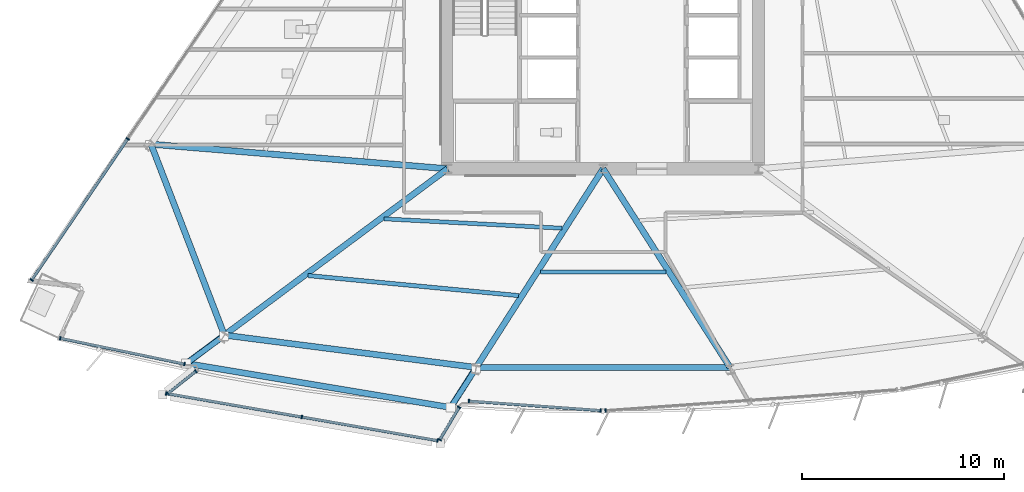
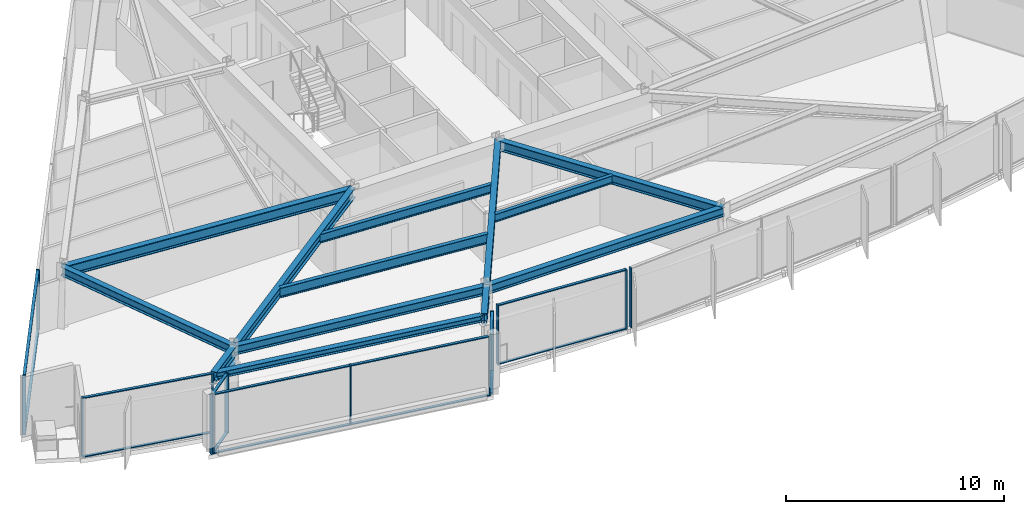
# One storey, part 2 of 15: 30 members, 13 beams, 7 elements without a shape of their own.
"""IFC4 building model written with IfcOpenShell, lengths in metres."""

import ifcopenshell
import ifcopenshell.guid

model = None  # the IFC model being written
_history = None  # IfcOwnerHistory: only IFC2X3 demands one
_inside = {}  # id of a spatial element -> (the spatial element, [elements in it])
_under = {}  # id of a project, library or spatial element -> (it, [spatial elements below it])
_declared = {}  # id of a project -> (the project, [libraries it declares])
_typed = {}  # id of a type object -> (the type object, [elements of that type])
_made_of = {}  # id of a material, layer set ... -> (it, [elements and type objects made of it])


def new_model(schema):
    """Start an empty IFC model of exactly this schema.

    Asked for "IFC4X3", IfcOpenShell would pick the latest addendum, in which some entities
    have other attributes; the version numbers below select the first issue.
    IFC2X3 requires an IfcOwnerHistory on every rooted entity: one is made here for all.
    """
    global model, _history
    if schema == "IFC4X3":
        model = ifcopenshell.file(schema_version=(4, 3, 0, 0))
    else:
        model = ifcopenshell.file(schema=schema)
    _inside.clear()
    _under.clear()
    _declared.clear()
    _typed.clear()
    _made_of.clear()
    _history = None
    if model.schema == "IFC2X3":
        org = make("IfcOrganization", Name="unknown")
        user = make(
            "IfcPersonAndOrganization",
            ThePerson=make("IfcPerson", FamilyName="unknown"),
            TheOrganization=org,
        )
        app = make(
            "IfcApplication",
            ApplicationDeveloper=org,
            Version="unknown",
            ApplicationFullName="unknown",
            ApplicationIdentifier="unknown",
        )
        _history = make(
            "IfcOwnerHistory",
            OwningUser=user,
            OwningApplication=app,
            ChangeAction="ADDED",
            CreationDate=0,
        )
    return model


def make(cls, **values):
    """One entity of the class cls with the attributes given. An attribute that is None is left unset."""
    return model.create_entity(
        cls, **{name: value for name, value in values.items() if value is not None}
    )


def rooted(cls, **values):
    """An entity with a GlobalId (a new one), such as an element, a storey or a relation."""
    return make(cls, GlobalId=ifcopenshell.guid.new(), OwnerHistory=_history, **values)


def si_unit(unit_type, name, prefix=None):
    """IfcSIUnit, for example si_unit("LENGTHUNIT", "METRE", prefix="MILLI")."""
    return make("IfcSIUnit", UnitType=unit_type, Prefix=prefix, Name=name)


def assignment(units):
    """IfcUnitAssignment: the units of a project."""
    return None if units is None else make("IfcUnitAssignment", Units=units)


def point(xyz):
    """IfcCartesianPoint."""
    return None if xyz is None else make("IfcCartesianPoint", Coordinates=xyz)


def direction(xyz):
    """IfcDirection."""
    return None if xyz is None else make("IfcDirection", DirectionRatios=xyz)


def frame(location, z_axis=None, x_axis=None):
    """IfcAxis2Placement3D, a coordinate frame: its origin and axes. An axis left out is left unset."""
    return make(
        "IfcAxis2Placement3D",
        Location=point(location),
        Axis=direction(z_axis),
        RefDirection=direction(x_axis),
    )


def frame_2d(location, x_axis=None):
    """IfcAxis2Placement2D, a coordinate frame in the plane: its origin and x axis."""
    return make(
        "IfcAxis2Placement2D", Location=point(location), RefDirection=direction(x_axis)
    )


def origin():
    """The frame at (0, 0, 0) with its axes left unset."""
    return frame((0.0, 0.0, 0.0))


def origin_2d():
    """The frame at (0, 0) in the plane with its x axis left unset."""
    return frame_2d((0.0, 0.0))


def place(relative_to, where):
    """IfcLocalPlacement: puts the frame where relative to a parent placement (None: the world)."""
    return make(
        "IfcLocalPlacement", PlacementRelTo=relative_to, RelativePlacement=where
    )


def context(
    kind, dimensions, precision=None, world=None, true_north=None, identifier=None
):
    """IfcGeometricRepresentationContext, for example the 3D "Model" context."""
    return make(
        "IfcGeometricRepresentationContext",
        ContextIdentifier=identifier,
        ContextType=kind,
        CoordinateSpaceDimension=dimensions,
        Precision=precision,
        WorldCoordinateSystem=world,
        TrueNorth=true_north,
    )


def subcontext(parent, identifier, kind, view, scale=None):
    """IfcGeometricRepresentationSubContext, for example "Body" below "Model"."""
    return make(
        "IfcGeometricRepresentationSubContext",
        ContextIdentifier=identifier,
        ContextType=kind,
        ParentContext=parent,
        TargetScale=scale,
        TargetView=view,
    )


def project(units=None, contexts=None):
    """IfcProject with its units and contexts."""
    return rooted(
        "IfcProject",
        Name="project",
        RepresentationContexts=contexts,
        UnitsInContext=assignment(units),
    )


def spatial(cls, under=None, at=None, **own):
    """A site, building, storey or space (cls), placed at a placement, below another one or the project."""
    s = rooted(cls, ObjectPlacement=at, **own)
    if under is not None:
        _under.setdefault(under.id(), (under, []))[1].append(s)
    return s


def profile(cls, at=None, kind="AREA", **sizes):
    """A parametric profile (cls). Its sizes go by their IFC names, for example OverallWidth=200.0."""
    return make(cls, ProfileType=kind, Position=at, **sizes)


def rectangle(**sizes):
    """IfcRectangleProfileDef."""
    return profile("IfcRectangleProfileDef", **sizes)


def hollow_circle(**sizes):
    """IfcCircleHollowProfileDef."""
    return profile("IfcCircleHollowProfileDef", **sizes)


def i_section(**sizes):
    """IfcIShapeProfileDef."""
    return profile("IfcIShapeProfileDef", **sizes)


def extrude(swept, where, along, depth):
    """IfcExtrudedAreaSolid: the profile swept, set in the frame where, extruded along a direction by depth."""
    return make(
        "IfcExtrudedAreaSolid",
        SweptArea=swept,
        Position=where,
        ExtrudedDirection=direction(along),
        Depth=depth,
    )


def shape(context_of_items, identifier, shape_type, items):
    """IfcShapeRepresentation: the items that make up one representation, for example the "Body"."""
    return make(
        "IfcShapeRepresentation",
        ContextOfItems=context_of_items,
        RepresentationIdentifier=identifier,
        RepresentationType=shape_type,
        Items=items,
    )


def material(Name=None, Category=None):
    """IfcMaterial."""
    return make("IfcMaterial", Name=Name, Category=Category)


def material_profile(
    of_material, cross_section, Name=None, Category=None, Priority=None
):
    """IfcMaterialProfile: a cross section and its material."""
    return make(
        "IfcMaterialProfile",
        Name=Name,
        Material=of_material,
        Profile=cross_section,
        Priority=Priority,
        Category=Category,
    )


def profile_set(profiles, Name=None, composite=None):
    """IfcMaterialProfileSet."""
    return make(
        "IfcMaterialProfileSet",
        Name=Name,
        MaterialProfiles=profiles,
        CompositeProfile=composite,
    )


def made_of(thing, what):
    """Note that an element or type object is made of a material, layer set ...; save() writes the relation."""
    if what is not None:
        _made_of.setdefault(what.id(), (what, []))[1].append(thing)
    return thing


def type_object(cls, material=None, **own):
    """A type object (cls), such as IfcWallType, which elements share."""
    return made_of(rooted(cls, **own), material)


def element(
    cls,
    number,
    at=None,
    inside=None,
    cuts=None,
    type_object=None,
    material=None,
    context=None,
    identifier="Body",
    shape_type=None,
    held_by="IfcProductDefinitionShape",
    body=None,
    shapes=None,
    **own,
):
    """One element of the class cls, such as IfcWall. Its Tag is "e" and its number.

    at: its placement. inside: the storey or other place that contains it. cuts: it is an
    opening in that element (IfcRelVoidsElement). A single representation is given by context,
    identifier, shape_type and body (its items); several are given by shapes. held_by: the class
    of the entity that holds the representations. save() writes the other relations.
    """
    e = rooted(cls, Tag="e%d" % number, ObjectPlacement=at, **own)
    if body is not None:
        shapes = [shape(context, identifier, shape_type, body)]
    if shapes is not None:
        e.Representation = make(held_by, Representations=shapes)
    if inside is not None:
        _inside.setdefault(inside.id(), (inside, []))[1].append(e)
    if cuts is not None:
        rooted(
            "IfcRelVoidsElement", RelatingBuildingElement=cuts, RelatedOpeningElement=e
        )
    if type_object is not None:
        _typed.setdefault(type_object.id(), (type_object, []))[1].append(e)
    return made_of(e, material)


def aggregate(whole, parts):
    """IfcRelAggregates: a whole, such as a stair, and the parts it consists of."""
    return rooted("IfcRelAggregates", RelatingObject=whole, RelatedObjects=parts)


def save(model, path):
    """Write the relations noted so far, then the file.

    IfcRelAggregates (storeys below a building ...), IfcRelContainedInSpatialStructure (elements
    in a storey), IfcRelDefinesByType, IfcRelAssociatesMaterial and IfcRelDeclares: one each for
    every whole, place, type object, material and project.
    """
    for whole, parts in _under.values():
        aggregate(whole, parts)
    for where, things in _inside.values():
        rooted(
            "IfcRelContainedInSpatialStructure",
            RelatedElements=things,
            RelatingStructure=where,
        )
    for kind, things in _typed.values():
        rooted("IfcRelDefinesByType", RelatedObjects=things, RelatingType=kind)
    for what, things in _made_of.values():
        rooted("IfcRelAssociatesMaterial", RelatedObjects=things, RelatingMaterial=what)
    for by, libraries in _declared.values():
        rooted("IfcRelDeclares", RelatingContext=by, RelatedDefinitions=libraries)
    model.write(path)


model = new_model("IFC4")

# Units and contexts
model_context = context("Model", 3, precision=1e-05, world=origin(), true_north=direction((0.0, 1.0)))
body_context = subcontext(model_context, "Body", "Model", "MODEL_VIEW")
ifc_project = project(units=[si_unit("LENGTHUNIT", "METRE"), si_unit("AREAUNIT", "SQUARE_METRE"), si_unit("VOLUMEUNIT", "CUBIC_METRE"), si_unit("PLANEANGLEUNIT", "RADIAN"), si_unit("MASSUNIT", "GRAM", prefix="KILO")], contexts=[model_context])

# Site, building, storey
site_placement = place(None, origin())
site = spatial("IfcSite", under=ifc_project, at=site_placement, CompositionType="ELEMENT")
building_placement = place(site_placement, origin())
building = spatial("IfcBuilding", under=site, at=building_placement, Name="Savorim Split Tower", CompositionType="ELEMENT")
storey_placement = place(building_placement, frame((0.0, 0.0, 104.10009765625)))
storey = spatial("IfcBuildingStorey", under=building, at=storey_placement, Name="L27", CompositionType="ELEMENT", Elevation=104.10009765625)

# Beams
ifc_material_1 = material(Name="Steel S355", Category="steel")
ifc_material_profile_1 = material_profile(ifc_material_1, i_section(OverallWidth=0.18994140625, OverallDepth=0.449951171875, WebThickness=0.009521484375, FlangeThickness=0.0146484375, FilletRadius=0.02099609375, at=origin_2d()), Name="IPE 450")
ifc_profile_set_1 = profile_set([ifc_material_profile_1], Name="Steel S355")
beam_type_1 = type_object("IfcBeamType", Name="BM-JST-IPE450", PredefinedType="JOIST", material=ifc_profile_set_1)
beam_1_placement = place(storey_placement, frame((-3.10791015625, -14.51611328125, 3.125), z_axis=(1.0, 0.0, 0.0), x_axis=(0.0, 1.0, 0.0)))
element("IfcBeam", 1, at=beam_1_placement, inside=storey, type_object=beam_type_1, Name="L27 Secondary Floor Joist JS-03", PredefinedType="JOIST", context=body_context, shape_type="SweptSolid", body=[
    extrude(i_section(OverallWidth=0.18994140625, OverallDepth=0.449951171875, WebThickness=0.009521484375, FlangeThickness=0.0146484375, FilletRadius=0.02099609375, at=origin_2d()), origin(), (0.0, 0.0, 1.0), 6.2158203125),
])
ifc_material_profile_2 = material_profile(ifc_material_1, i_section(OverallWidth=0.199951171875, OverallDepth=0.5, WebThickness=0.01025390625, FlangeThickness=0.01611328125, FilletRadius=0.02099609375, at=origin_2d()), Name="IPE 500")
ifc_profile_set_2 = profile_set([ifc_material_profile_2], Name="Steel S355")
beam_type_2 = type_object("IfcBeamType", Name="BM-JST-IPE500", PredefinedType="JOIST", material=ifc_profile_set_2)
beam_2_placement = place(storey_placement, frame((-10.855712890625, -11.8798828125, 3.099853515625), z_axis=(0.998619816096, -0.052521071019, 0.0), x_axis=(0.052521071019, 0.998619816096, 0.0)))
element("IfcBeam", 2, at=beam_2_placement, inside=storey, type_object=beam_type_2, Name="L27 Secondary Floor Joist JS-02", PredefinedType="JOIST", context=body_context, shape_type="SweptSolid", body=[
    extrude(i_section(OverallWidth=0.199951171875, OverallDepth=0.5, WebThickness=0.01025390625, FlangeThickness=0.01611328125, FilletRadius=0.02099609375, at=origin_2d()), origin(), (0.0, 0.0, 1.0), 8.82275390625),
])
ifc_material_profile_3 = material_profile(ifc_material_1, i_section(OverallWidth=0.2099609375, OverallDepth=0.550048828125, WebThickness=0.010986328125, FlangeThickness=0.01708984375, FilletRadius=0.02392578125, at=origin_2d()), Name="IPE 550")
ifc_profile_set_3 = profile_set([ifc_material_profile_3], Name="Steel S355")
beam_type_3 = type_object("IfcBeamType", Name="BM-JST-IPE550", PredefinedType="JOIST", material=ifc_profile_set_3)
beam_3_placement = place(storey_placement, frame((-14.613525390625, -14.6875, 3.074951171875), z_axis=(0.995492226099, -0.094843174642, 0.0), x_axis=(0.094843174642, 0.995492226099, 0.0)))
element("IfcBeam", 3, at=beam_3_placement, inside=storey, type_object=beam_type_3, Name="L27 Secondary Floor Joist JS-01", PredefinedType="JOIST", context=body_context, shape_type="SweptSolid", body=[
    extrude(i_section(OverallWidth=0.2099609375, OverallDepth=0.550048828125, WebThickness=0.010986328125, FlangeThickness=0.01708984375, FilletRadius=0.02392578125, at=origin_2d()), origin(), (0.0, 0.0, 1.0), 10.479248046875),
])
ifc_material_profile_4 = material_profile(ifc_material_1, i_section(OverallWidth=0.300048828125, OverallDepth=0.550048828125, WebThickness=0.014892578125, FlangeThickness=0.029052734375, FilletRadius=0.027099609375, at=origin_2d()), Name="HEB 550")
ifc_profile_set_4 = profile_set([ifc_material_profile_4], Name="Steel S355")
beam_type_4 = type_object("IfcBeamType", Name="BM-PRI-HEB550", PredefinedType="BEAM", material=ifc_profile_set_4)
beam_4_placement = place(storey_placement, frame((-18.751220703125, -17.637939453125, 3.074951171875), z_axis=(0.801752190532, 0.597656611256, 0.0), x_axis=(-0.597656611256, 0.801752190532, 0.0)))
element("IfcBeam", 4, at=beam_4_placement, inside=storey, type_object=beam_type_4, Name="L27 Primary Floor Girder RG-01", PredefinedType="BEAM", context=body_context, shape_type="SweptSolid", body=[
    extrude(i_section(OverallWidth=0.300048828125, OverallDepth=0.550048828125, WebThickness=0.014892578125, FlangeThickness=0.029052734375, FilletRadius=0.027099609375, at=origin_2d()), origin(), (0.0, 0.0, 1.0), 13.783935546875),
])
for number, where, z_axis, x_axis, name in (
    (5, (-6.284423828125, -19.238525390625, 3.074951171875), (0.538306358221, 0.84274923002, 0.0), (-0.84274923002, 0.538306358221, 0.0), "L27 Primary Floor Girder RG-02"),
    (6, (6.284423828125, -19.238525390625, 3.074951171875), (-0.538306358221, 0.84274923002, 0.0), (-0.84274923002, -0.538306358221, 0.0), "L27 Primary Floor Girder RG-03"),
):
    element("IfcBeam", number, at=place(storey_placement, frame(where, z_axis=z_axis, x_axis=x_axis)), inside=storey, type_object=beam_type_4, Name=name, PredefinedType="BEAM", context=body_context, shape_type="SweptSolid", body=[
        extrude(i_section(OverallWidth=0.300048828125, OverallDepth=0.550048828125, WebThickness=0.014892578125, FlangeThickness=0.029052734375, FilletRadius=0.027099609375, at=origin_2d()), origin(), (0.0, 0.0, 1.0), 11.67431640625),
    ])
beam_5_placement = place(storey_placement, frame((-18.751220703125, -17.637939453125, 3.074951171875), z_axis=(-0.801729571129, -0.59768695383, 0.0), x_axis=(0.59768695383, -0.801729571129, 0.0)))
element("IfcBeam", 7, at=beam_5_placement, inside=storey, type_object=beam_type_4, Name="L27 Cantilevered Lounge Rib 1", PredefinedType="BEAM", context=body_context, shape_type="SweptSolid", body=[
    extrude(i_section(OverallWidth=0.300048828125, OverallDepth=0.550048828125, WebThickness=0.014892578125, FlangeThickness=0.029052734375, FilletRadius=0.027099609375, at=origin_2d()), origin(), (0.0, 0.0, 1.0), 2.349853515625),
])
beam_6_placement = place(storey_placement, frame((-6.284423828125, -19.238525390625, 3.074951171875), z_axis=(-0.538340093732, -0.8427276805, 0.0), x_axis=(0.8427276805, -0.538340093732, 0.0)))
element("IfcBeam", 8, at=beam_6_placement, inside=storey, type_object=beam_type_4, Name="L27 Cantilevered Lounge Rib 2", PredefinedType="BEAM", context=body_context, shape_type="SweptSolid", body=[
    extrude(i_section(OverallWidth=0.300048828125, OverallDepth=0.550048828125, WebThickness=0.014892578125, FlangeThickness=0.029052734375, FilletRadius=0.027099609375, at=origin_2d()), origin(), (0.0, 0.0, 1.0), 2.35009765625),
])
ifc_material_2 = material(Name="Steel S460", Category="steel")
ifc_material_profile_5 = material_profile(ifc_material_2, i_section(OverallWidth=0.304931640625, OverallDepth=0.6201171875, WebThickness=0.02099609375, FlangeThickness=0.0400390625, FilletRadius=0.027099609375, at=origin_2d()), Name="HE 600 M")
ifc_profile_set_5 = profile_set([ifc_material_profile_5], Name="Steel S460")
beam_type_5 = type_object("IfcBeamType", Name="BM-PRI-HEM600", PredefinedType="BEAM", material=ifc_profile_set_5)
beam_7_placement = place(storey_placement, frame((-22.385986328125, -8.1826171875, 3.039794921875), z_axis=(0.996582451028, -0.082603984786, 0.0), x_axis=(0.082603984786, 0.996582451028, 0.0)))
element("IfcBeam", 9, at=beam_7_placement, inside=storey, type_object=beam_type_5, Name="L27 Primary Floor Girder RG-10", PredefinedType="BEAM", context=body_context, shape_type="SweptSolid", body=[
    extrude(i_section(OverallWidth=0.304931640625, OverallDepth=0.6201171875, WebThickness=0.02099609375, FlangeThickness=0.0400390625, FilletRadius=0.027099609375, at=origin_2d()), origin(), (0.0, 0.0, 1.0), 14.736328125),
])
ifc_material_profile_6 = material_profile(ifc_material_1, i_section(OverallWidth=0.300048828125, OverallDepth=0.35009765625, WebThickness=0.010009765625, FlangeThickness=0.017578125, FilletRadius=0.027099609375, at=origin_2d()), Name="HEA 360")
ifc_profile_set_6 = profile_set([ifc_material_profile_6], Name="Steel S355")
beam_type_6 = type_object("IfcBeamType", Name="BM-SPN-HEA360", PredefinedType="SPANDREL", material=ifc_profile_set_6)
beam_8_placement = place(storey_placement, frame((-20.4775390625, -19.068603515625, 3.1748046875), z_axis=(0.9864453548, -0.164090103277, 0.0), x_axis=(0.164090103277, 0.9864453548, 0.0)))
element("IfcBeam", 10, at=beam_8_placement, inside=storey, type_object=beam_type_6, Name="L27 Cantilevered Lounge Front Edge Beam", PredefinedType="SPANDREL", context=body_context, shape_type="SweptSolid", body=[
    extrude(i_section(OverallWidth=0.300048828125, OverallDepth=0.35009765625, WebThickness=0.010009765625, FlangeThickness=0.017578125, FilletRadius=0.027099609375, at=origin_2d()), origin(), (0.0, 0.0, 1.0), 12.94580078125),
])
ifc_material_profile_7 = material_profile(ifc_material_1, i_section(OverallWidth=0.300048828125, OverallDepth=0.489990234375, WebThickness=0.011962890625, FlangeThickness=0.02294921875, FilletRadius=0.027099609375, at=origin_2d()), Name="HEA 500")
ifc_profile_set_7 = profile_set([ifc_material_profile_7], Name="Steel S355")
beam_type_7 = type_object("IfcBeamType", Name="BM-SPN-HEA500", PredefinedType="SPANDREL", material=ifc_profile_set_7)
beam_9_placement = place(storey_placement, frame((-18.751220703125, -17.637939453125, 3.10498046875), z_axis=(0.991858782297, -0.127342671486, 0.0), x_axis=(0.127342671486, 0.991858782297, 0.0)))
element("IfcBeam", 11, at=beam_9_placement, inside=storey, type_object=beam_type_7, Name="L27 Perimeter Spandrel Beam 1", PredefinedType="SPANDREL", context=body_context, shape_type="SweptSolid", body=[
    extrude(i_section(OverallWidth=0.300048828125, OverallDepth=0.489990234375, WebThickness=0.011962890625, FlangeThickness=0.02294921875, FilletRadius=0.027099609375, at=origin_2d()), origin(), (0.0, 0.0, 1.0), 12.569091796875),
])
beam_10_placement = place(storey_placement, frame((-6.284423828125, -19.238525390625, 3.10498046875), z_axis=(1.0, 0.0, 0.0), x_axis=(0.0, 1.0, 0.0)))
element("IfcBeam", 12, at=beam_10_placement, inside=storey, type_object=beam_type_7, Name="L27 Perimeter Spandrel Beam 2", PredefinedType="SPANDREL", context=body_context, shape_type="SweptSolid", body=[
    extrude(i_section(OverallWidth=0.300048828125, OverallDepth=0.489990234375, WebThickness=0.011962890625, FlangeThickness=0.02294921875, FilletRadius=0.027099609375, at=origin_2d()), origin(), (0.0, 0.0, 1.0), 12.56884765625),
])
beam_11_placement = place(storey_placement, frame((-22.385986328125, -8.1826171875, 3.10498046875), z_axis=(0.358815957143, -0.933408329136, 0.0), x_axis=(0.933408329136, 0.358815957143, 0.0)))
element("IfcBeam", 13, at=beam_11_placement, inside=storey, type_object=beam_type_7, Name="L27 Perimeter Spandrel Beam 10", PredefinedType="SPANDREL", context=body_context, shape_type="SweptSolid", body=[
    extrude(i_section(OverallWidth=0.300048828125, OverallDepth=0.489990234375, WebThickness=0.011962890625, FlangeThickness=0.02294921875, FilletRadius=0.027099609375, at=origin_2d()), origin(), (0.0, 0.0, 1.0), 10.1298828125),
])

# Curtain wall, members
ifc_material_3 = material(Name="Dark Ceramic-Fritted Insulated Glass", Category="glass")
curtain_wall_type_1 = type_object("IfcCurtainWallType", Name="CW-TWR-FRIT-A", PredefinedType="NOTDEFINED", material=ifc_material_3)
curtain_wall_1_placement = place(storey_placement, origin())
curtain_wall_1 = element("IfcCurtainWall", 14, at=curtain_wall_1_placement, inside=storey, type_object=curtain_wall_type_1, Name="L27 Curtain Wall CW-L27-SF1A", PredefinedType="NOTDEFINED")
ifc_material_4 = material(Name="Charcoal Anodised Aluminium", Category="aluminium")
ifc_material_profile_8 = material_profile(ifc_material_4, rectangle(XDim=0.179931640625, YDim=0.06494140625, at=origin_2d()), Name="ALU-M 180x65")
ifc_profile_set_8 = profile_set([ifc_material_profile_8], Name="Charcoal Anodised Aluminium")
member_type_1 = type_object("IfcMemberType", Name="CWM-180x65", PredefinedType="MULLION", material=ifc_profile_set_8)
member_1_placement = place(storey_placement, frame((-26.882568359375, -17.792724609375, 0.0), z_axis=(0.0, 0.0, 1.0), x_axis=(0.20321845077, 0.979133423629, 0.0)))
member_1 = element("IfcMember", 15, at=member_1_placement, type_object=member_type_1, Name="CW-02 mullion 1", PredefinedType="MULLION", context=body_context, shape_type="SweptSolid", body=[
    extrude(rectangle(XDim=0.179931640625, YDim=0.06494140625, at=origin_2d()), origin(), (0.0, 0.0, 1.0), 3.349853515625),
])
member_2_placement = place(storey_placement, frame((-20.728515625, -19.06982421875, 0.0), z_axis=(0.0, 0.0, 1.0), x_axis=(0.20321845077, 0.979133423629, 0.0)))
member_2 = element("IfcMember", 16, at=member_2_placement, type_object=member_type_1, Name="CW-02 mullion 2", PredefinedType="MULLION", context=body_context, shape_type="SweptSolid", body=[
    extrude(rectangle(XDim=0.179931640625, YDim=0.06494140625, at=origin_2d()), origin(), (0.0, 0.0, 1.0), 3.349853515625),
])

curtain_wall_2_placement = place(storey_placement, origin())
curtain_wall_2 = element("IfcCurtainWall", 17, at=curtain_wall_2_placement, inside=storey, type_object=curtain_wall_type_1, Name="L27 Curtain Wall CW-L27-SF2A", PredefinedType="NOTDEFINED")
member_3_placement = place(storey_placement, frame((-6.648193359375, -20.903564453125, 0.0), z_axis=(0.0, 0.0, 1.0), x_axis=(0.071568692624, 0.997435673232, 0.0)))
member_3 = element("IfcMember", 18, at=member_3_placement, type_object=member_type_1, Name="CW-02 mullion 1", PredefinedType="MULLION", context=body_context, shape_type="SweptSolid", body=[
    extrude(rectangle(XDim=0.179931640625, YDim=0.06494140625, at=origin_2d()), origin(), (0.0, 0.0, 1.0), 3.349853515625),
])
member_4_placement = place(storey_placement, frame((-0.12353515625, -21.37158203125, 0.0), z_axis=(0.0, 0.0, 1.0), x_axis=(0.071568692624, 0.997435673232, 0.0)))
member_4 = element("IfcMember", 19, at=member_4_placement, type_object=member_type_1, Name="CW-02 mullion 2", PredefinedType="MULLION", context=body_context, shape_type="SweptSolid", body=[
    extrude(rectangle(XDim=0.179931640625, YDim=0.06494140625, at=origin_2d()), origin(), (0.0, 0.0, 1.0), 3.349853515625),
])

# Curtain wall, member
curtain_wall_3_placement = place(storey_placement, origin())
curtain_wall_3 = element("IfcCurtainWall", 20, at=curtain_wall_3_placement, inside=storey, type_object=curtain_wall_type_1, Name="L27 Curtain Wall CW-L27-SF3A", PredefinedType="NOTDEFINED")
member_5_placement = place(storey_placement, frame((0.12353515625, -21.37158203125, 0.0), z_axis=(0.0, 0.0, 1.0), x_axis=(-0.071562268211, 0.99743613418, 0.0)))
member_5 = element("IfcMember", 21, at=member_5_placement, type_object=member_type_1, Name="CW-02 mullion 1", PredefinedType="MULLION", context=body_context, shape_type="SweptSolid", body=[
    extrude(rectangle(XDim=0.179931640625, YDim=0.06494140625, at=origin_2d()), origin(), (0.0, 0.0, 1.0), 3.349853515625),
])
aggregate(curtain_wall_3, [member_5])

# Curtain wall, members
curtain_wall_type_2 = type_object("IfcCurtainWallType", Name="CW-BAY-LOUNGE", PredefinedType="NOTDEFINED", material=ifc_material_3)
curtain_wall_4_placement = place(storey_placement, origin())
curtain_wall_4 = element("IfcCurtainWall", 22, at=curtain_wall_4_placement, inside=storey, type_object=curtain_wall_type_2, Name="L27 Curtain Wall CW-L27-BAYF", PredefinedType="NOTDEFINED")
member_6_placement = place(storey_placement, frame((-21.6337890625, -20.524169921875, 0.0), z_axis=(0.0, 0.0, 1.0), x_axis=(0.171191443463, 0.985237783322, 0.0)))
member_6 = element("IfcMember", 23, at=member_6_placement, type_object=member_type_1, Name="CW-04 mullion 1", PredefinedType="MULLION", context=body_context, shape_type="SweptSolid", body=[
    extrude(rectangle(XDim=0.179931640625, YDim=0.06494140625, at=origin_2d()), origin(), (0.0, 0.0, 1.0), 3.349853515625),
])
member_7_placement = place(storey_placement, frame((-14.91796875, -21.69091796875, 0.0), z_axis=(0.0, 0.0, 1.0), x_axis=(0.171191443463, 0.985237783322, 0.0)))
member_7 = element("IfcMember", 24, at=member_7_placement, type_object=member_type_1, Name="CW-04 mullion 2", PredefinedType="MULLION", context=body_context, shape_type="SweptSolid", body=[
    extrude(rectangle(XDim=0.179931640625, YDim=0.06494140625, at=origin_2d()), origin(), (0.0, 0.0, 1.0), 3.349853515625),
])
member_8_placement = place(storey_placement, frame((-8.201904296875, -22.85791015625, 0.0), z_axis=(0.0, 0.0, 1.0), x_axis=(0.171191443463, 0.985237783322, 0.0)))
member_8 = element("IfcMember", 25, at=member_8_placement, type_object=member_type_1, Name="CW-04 mullion 3", PredefinedType="MULLION", context=body_context, shape_type="SweptSolid", body=[
    extrude(rectangle(XDim=0.179931640625, YDim=0.06494140625, at=origin_2d()), origin(), (0.0, 0.0, 1.0), 3.349853515625),
])

curtain_wall_5_placement = place(storey_placement, origin())
curtain_wall_5 = element("IfcCurtainWall", 26, at=curtain_wall_5_placement, inside=storey, type_object=curtain_wall_type_2, Name="L27 Curtain Wall CW-L27-BAYW", PredefinedType="NOTDEFINED")
member_9_placement = place(storey_placement, frame((-20.166748046875, -19.426513671875, 0.0), z_axis=(0.0, 0.0, 1.0), x_axis=(0.621806452547, -0.783170949136, 0.0)))
member_9 = element("IfcMember", 27, at=member_9_placement, type_object=member_type_1, Name="CW-04 mullion 1", PredefinedType="MULLION", context=body_context, shape_type="SweptSolid", body=[
    extrude(rectangle(XDim=0.179931640625, YDim=0.06494140625, at=origin_2d()), origin(), (0.0, 0.0, 1.0), 3.349853515625),
])
member_10_placement = place(storey_placement, frame((-21.552978515625, -20.527099609375, 0.0), z_axis=(0.0, 0.0, 1.0), x_axis=(0.621806452547, -0.783170949136, 0.0)))
member_10 = element("IfcMember", 28, at=member_10_placement, type_object=member_type_1, Name="CW-04 mullion 2", PredefinedType="MULLION", context=body_context, shape_type="SweptSolid", body=[
    extrude(rectangle(XDim=0.179931640625, YDim=0.06494140625, at=origin_2d()), origin(), (0.0, 0.0, 1.0), 3.349853515625),
])

curtain_wall_6_placement = place(storey_placement, origin())
curtain_wall_6 = element("IfcCurtainWall", 29, at=curtain_wall_6_placement, inside=storey, type_object=curtain_wall_type_2, Name="L27 Curtain Wall CW-L27-BAYE", PredefinedType="NOTDEFINED")
member_11_placement = place(storey_placement, frame((-8.087158203125, -22.817626953125, 0.0), z_axis=(0.0, 0.0, 1.0), x_axis=(-0.859722483867, 0.510761442098, 0.0)))
member_11 = element("IfcMember", 30, at=member_11_placement, type_object=member_type_1, Name="CW-04 mullion 1", PredefinedType="MULLION", context=body_context, shape_type="SweptSolid", body=[
    extrude(rectangle(XDim=0.179931640625, YDim=0.06494140625, at=origin_2d()), origin(), (0.0, 0.0, 1.0), 3.349853515625),
])
member_12_placement = place(storey_placement, frame((-7.12939453125, -21.20556640625, 0.0), z_axis=(0.0, 0.0, 1.0), x_axis=(-0.859722483867, 0.510761442098, 0.0)))
member_12 = element("IfcMember", 31, at=member_12_placement, type_object=member_type_1, Name="CW-04 mullion 2", PredefinedType="MULLION", context=body_context, shape_type="SweptSolid", body=[
    extrude(rectangle(XDim=0.179931640625, YDim=0.06494140625, at=origin_2d()), origin(), (0.0, 0.0, 1.0), 3.349853515625),
])

curtain_wall_7_placement = place(storey_placement, origin())
curtain_wall_7 = element("IfcCurtainWall", 32, at=curtain_wall_7_placement, inside=storey, type_object=curtain_wall_type_1, Name="L27 Curtain Wall CW-L27-WEST", PredefinedType="NOTDEFINED")
member_13_placement = place(storey_placement, frame((-23.539306640625, -7.917236328125, 0.0), z_axis=(0.0, 0.0, 1.0), x_axis=(0.826819383915, -0.562467515846, 0.0)))
member_13 = element("IfcMember", 33, at=member_13_placement, type_object=member_type_1, Name="CW-02 mullion 4", PredefinedType="MULLION", context=body_context, shape_type="SweptSolid", body=[
    extrude(rectangle(XDim=0.179931640625, YDim=0.06494140625, at=origin_2d()), origin(), (0.0, 0.0, 1.0), 3.349853515625),
])
member_14_placement = place(storey_placement, frame((-28.294921875, -14.908203125, 0.0), z_axis=(0.0, 0.0, 1.0), x_axis=(0.826819383915, -0.562467515846, 0.0)))
member_14 = element("IfcMember", 34, at=member_14_placement, type_object=member_type_1, Name="CW-02 mullion 5", PredefinedType="MULLION", context=body_context, shape_type="SweptSolid", body=[
    extrude(rectangle(XDim=0.179931640625, YDim=0.06494140625, at=origin_2d()), origin(), (0.0, 0.0, 1.0), 3.349853515625),
])

# Member
ifc_material_profile_9 = material_profile(ifc_material_4, rectangle(XDim=0.139892578125, YDim=0.054931640625, at=origin_2d()), Name="ALU-T 140x55")
ifc_profile_set_9 = profile_set([ifc_material_profile_9], Name="Charcoal Anodised Aluminium")
member_type_2 = type_object("IfcMemberType", Name="CWT-140x55", PredefinedType="USERDEFINED", material=ifc_profile_set_9)
member_15_placement = place(storey_placement, frame((-26.850830078125, -17.79931640625, 0.02734375), z_axis=(0.979139141745, -0.203190898177, 0.0), x_axis=(0.203190898177, 0.979139141745, 0.0)))
member_15 = element("IfcMember", 35, at=member_15_placement, type_object=member_type_2, Name="CW-02 transom 1.1", ObjectType="TRANSOM", PredefinedType="USERDEFINED", context=body_context, shape_type="SweptSolid", body=[
    extrude(rectangle(XDim=0.139892578125, YDim=0.054931640625, at=origin_2d()), origin(), (0.0, 0.0, 1.0), 6.220458984375),
])

member_16_placement = place(storey_placement, frame((-26.850830078125, -17.79931640625, 3.322509765625), z_axis=(0.979139141745, -0.203190898177, 0.0), x_axis=(0.203190898177, 0.979139141745, 0.0)))
member_16 = element("IfcMember", 36, at=member_16_placement, type_object=member_type_2, Name="CW-02 transom 1.2", ObjectType="TRANSOM", PredefinedType="USERDEFINED", context=body_context, shape_type="SweptSolid", body=[
    extrude(rectangle(XDim=0.139892578125, YDim=0.054931640625, at=origin_2d()), origin(), (0.0, 0.0, 1.0), 6.220458984375),
])

aggregate(curtain_wall_1, [member_1, member_2, member_15, member_16])

member_17_placement = place(storey_placement, frame((-6.61572265625, -20.90576171875, 0.02734375), z_axis=(0.997434339448, -0.071587278832, 0.0), x_axis=(0.071587278832, 0.997434339448, 0.0)))
member_17 = element("IfcMember", 37, at=member_17_placement, type_object=member_type_2, Name="CW-02 transom 1.1", ObjectType="TRANSOM", PredefinedType="USERDEFINED", context=body_context, shape_type="SweptSolid", body=[
    extrude(rectangle(XDim=0.139892578125, YDim=0.054931640625, at=origin_2d()), origin(), (0.0, 0.0, 1.0), 6.476318359375),
])

member_18_placement = place(storey_placement, frame((-6.61572265625, -20.90576171875, 3.322509765625), z_axis=(0.997434339448, -0.071587278832, 0.0), x_axis=(0.071587278832, 0.997434339448, 0.0)))
member_18 = element("IfcMember", 38, at=member_18_placement, type_object=member_type_2, Name="CW-02 transom 1.2", ObjectType="TRANSOM", PredefinedType="USERDEFINED", context=body_context, shape_type="SweptSolid", body=[
    extrude(rectangle(XDim=0.139892578125, YDim=0.054931640625, at=origin_2d()), origin(), (0.0, 0.0, 1.0), 6.476318359375),
])

aggregate(curtain_wall_2, [member_3, member_4, member_17, member_18])

member_19_placement = place(storey_placement, frame((-21.601806640625, -20.529541015625, 0.02734375), z_axis=(0.985232713978, -0.171220615895, 0.0), x_axis=(0.171220615895, 0.985232713978, 0.0)))
member_19 = element("IfcMember", 39, at=member_19_placement, type_object=member_type_2, Name="CW-04 transom 1.1", ObjectType="TRANSOM", PredefinedType="USERDEFINED", context=body_context, shape_type="SweptSolid", body=[
    extrude(rectangle(XDim=0.139892578125, YDim=0.054931640625, at=origin_2d()), origin(), (0.0, 0.0, 1.0), 6.75146484375),
])

member_20_placement = place(storey_placement, frame((-21.601806640625, -20.529541015625, 3.322509765625), z_axis=(0.985232713978, -0.171220615895, 0.0), x_axis=(0.171220615895, 0.985232713978, 0.0)))
member_20 = element("IfcMember", 40, at=member_20_placement, type_object=member_type_2, Name="CW-04 transom 1.2", ObjectType="TRANSOM", PredefinedType="USERDEFINED", context=body_context, shape_type="SweptSolid", body=[
    extrude(rectangle(XDim=0.139892578125, YDim=0.054931640625, at=origin_2d()), origin(), (0.0, 0.0, 1.0), 6.75146484375),
])

member_21_placement = place(storey_placement, frame((-14.885986328125, -21.696533203125, 0.02734375), z_axis=(0.985238813406, -0.171185515036, 0.0), x_axis=(0.171185515036, 0.985238813406, 0.0)))
member_21 = element("IfcMember", 41, at=member_21_placement, type_object=member_type_2, Name="CW-04 transom 2.1", ObjectType="TRANSOM", PredefinedType="USERDEFINED", context=body_context, shape_type="SweptSolid", body=[
    extrude(rectangle(XDim=0.139892578125, YDim=0.054931640625, at=origin_2d()), origin(), (0.0, 0.0, 1.0), 6.75146484375),
])

member_22_placement = place(storey_placement, frame((-14.885986328125, -21.696533203125, 3.322509765625), z_axis=(0.985238813406, -0.171185515036, 0.0), x_axis=(0.171185515036, 0.985238813406, 0.0)))
member_22 = element("IfcMember", 42, at=member_22_placement, type_object=member_type_2, Name="CW-04 transom 2.2", ObjectType="TRANSOM", PredefinedType="USERDEFINED", context=body_context, shape_type="SweptSolid", body=[
    extrude(rectangle(XDim=0.139892578125, YDim=0.054931640625, at=origin_2d()), origin(), (0.0, 0.0, 1.0), 6.75146484375),
])

aggregate(curtain_wall_4, [member_6, member_7, member_8, member_19, member_20, member_21, member_22])

member_23_placement = place(storey_placement, frame((-20.1923828125, -19.44677734375, 0.02734375), z_axis=(-0.783182634202, -0.621791734815, 0.0), x_axis=(0.621791734815, -0.783182634202, 0.0)))
member_23 = element("IfcMember", 43, at=member_23_placement, type_object=member_type_2, Name="CW-04 transom 1.1", ObjectType="TRANSOM", PredefinedType="USERDEFINED", context=body_context, shape_type="SweptSolid", body=[
    extrude(rectangle(XDim=0.139892578125, YDim=0.054931640625, at=origin_2d()), origin(), (0.0, 0.0, 1.0), 1.704833984375),
])

member_24_placement = place(storey_placement, frame((-20.1923828125, -19.44677734375, 3.322509765625), z_axis=(-0.783182634202, -0.621791734815, 0.0), x_axis=(0.621791734815, -0.783182634202, 0.0)))
member_24 = element("IfcMember", 44, at=member_24_placement, type_object=member_type_2, Name="CW-04 transom 1.2", ObjectType="TRANSOM", PredefinedType="USERDEFINED", context=body_context, shape_type="SweptSolid", body=[
    extrude(rectangle(XDim=0.139892578125, YDim=0.054931640625, at=origin_2d()), origin(), (0.0, 0.0, 1.0), 1.704833984375),
])

aggregate(curtain_wall_5, [member_9, member_10, member_23, member_24])

member_25_placement = place(storey_placement, frame((-8.070556640625, -22.789794921875, 0.02734375), z_axis=(0.510781805749, 0.859710385488, 0.0), x_axis=(-0.859710385488, 0.510781805749, 0.0)))
member_25 = element("IfcMember", 45, at=member_25_placement, type_object=member_type_2, Name="CW-04 transom 1.1", ObjectType="TRANSOM", PredefinedType="USERDEFINED", context=body_context, shape_type="SweptSolid", body=[
    extrude(rectangle(XDim=0.139892578125, YDim=0.054931640625, at=origin_2d()), origin(), (0.0, 0.0, 1.0), 1.81005859375),
])

member_26_placement = place(storey_placement, frame((-8.070556640625, -22.789794921875, 3.322509765625), z_axis=(0.510781805749, 0.859710385488, 0.0), x_axis=(-0.859710385488, 0.510781805749, 0.0)))
member_26 = element("IfcMember", 46, at=member_26_placement, type_object=member_type_2, Name="CW-04 transom 1.2", ObjectType="TRANSOM", PredefinedType="USERDEFINED", context=body_context, shape_type="SweptSolid", body=[
    extrude(rectangle(XDim=0.139892578125, YDim=0.054931640625, at=origin_2d()), origin(), (0.0, 0.0, 1.0), 1.81005859375),
])

aggregate(curtain_wall_6, [member_11, member_12, member_25, member_26])

member_27_placement = place(storey_placement, frame((-23.5576171875, -7.9443359375, 0.02734375), z_axis=(-0.562478744219, -0.826811745382, 0.0), x_axis=(0.826811745382, -0.562478744219, 0.0)))
member_27 = element("IfcMember", 47, at=member_27_placement, type_object=member_type_2, Name="CW-02 transom 4.1", ObjectType="TRANSOM", PredefinedType="USERDEFINED", context=body_context, shape_type="SweptSolid", body=[
    extrude(rectangle(XDim=0.139892578125, YDim=0.054931640625, at=origin_2d()), origin(), (0.0, 0.0, 1.0), 8.39013671875),
])

member_28_placement = place(storey_placement, frame((-23.5576171875, -7.9443359375, 3.322509765625), z_axis=(-0.562478744219, -0.826811745382, 0.0), x_axis=(0.826811745382, -0.562478744219, 0.0)))
member_28 = element("IfcMember", 48, at=member_28_placement, type_object=member_type_2, Name="CW-02 transom 4.2", ObjectType="TRANSOM", PredefinedType="USERDEFINED", context=body_context, shape_type="SweptSolid", body=[
    extrude(rectangle(XDim=0.139892578125, YDim=0.054931640625, at=origin_2d()), origin(), (0.0, 0.0, 1.0), 8.39013671875),
])

aggregate(curtain_wall_7, [member_13, member_14, member_27, member_28])

# Members
ifc_material_profile_10 = material_profile(ifc_material_1, hollow_circle(Radius=0.136474609375, WallThickness=0.01611328125, at=origin_2d()), Name="CHS 273x16")
ifc_profile_set_10 = profile_set([ifc_material_profile_10], Name="Steel S355")
member_type_3 = type_object("IfcMemberType", Name="MBR-CRN-CHS273", PredefinedType="BRACE", material=ifc_profile_set_10)
member_29_placement = place(storey_placement, frame((-18.77490234375, -17.676513671875, 2.449951171875), z_axis=(-0.795896139246, -0.584388306966, 0.158239193039), x_axis=(0.59184507607, -0.806051738991, 0.0)))
element("IfcMember", 49, at=member_29_placement, inside=storey, type_object=member_type_3, Name="L27 Cantilevered Bay Support Strut 1", PredefinedType="BRACE", context=body_context, shape_type="SweptSolid", body=[
    extrude(hollow_circle(Radius=0.136474609375, WallThickness=0.01611328125, at=origin_2d()), origin(), (0.0, 0.0, 1.0), 2.33740234375),
])
member_30_placement = place(storey_placement, frame((-6.29248046875, -19.279052734375, 2.449951171875), z_axis=(-0.536976974821, -0.828669458522, 0.15799575002), x_axis=(0.839210112021, -0.543807307676, 0.0)))
element("IfcMember", 50, at=member_30_placement, inside=storey, type_object=member_type_3, Name="L27 Cantilevered Bay Support Strut 2", PredefinedType="BRACE", context=body_context, shape_type="SweptSolid", body=[
    extrude(hollow_circle(Radius=0.136474609375, WallThickness=0.01611328125, at=origin_2d()), origin(), (0.0, 0.0, 1.0), 2.341064453125),
])

save(model, "model.ifc")
